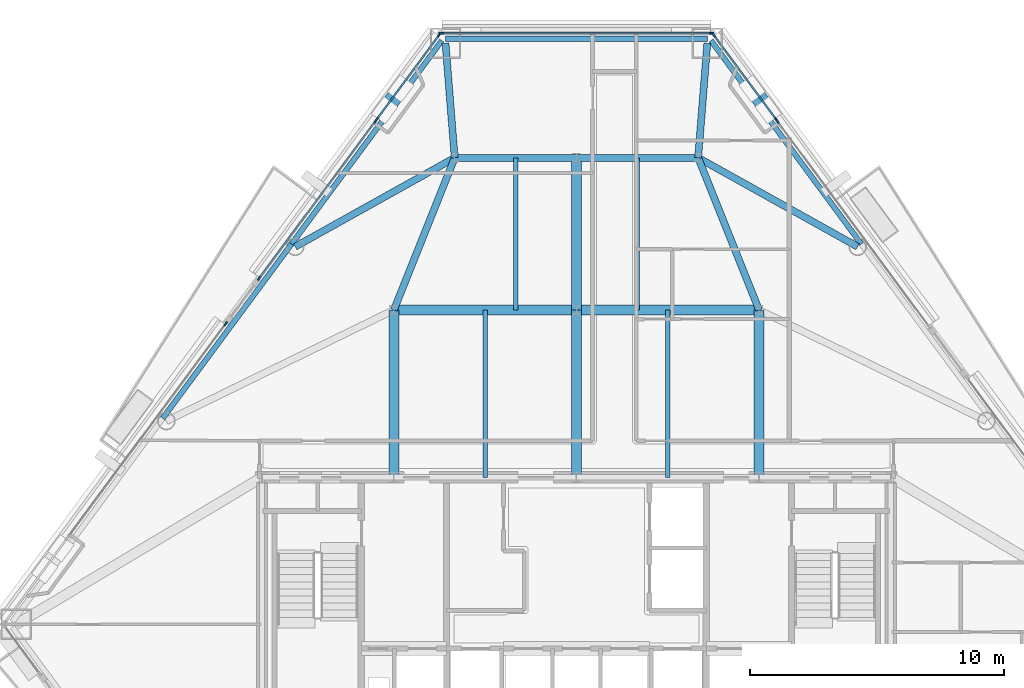
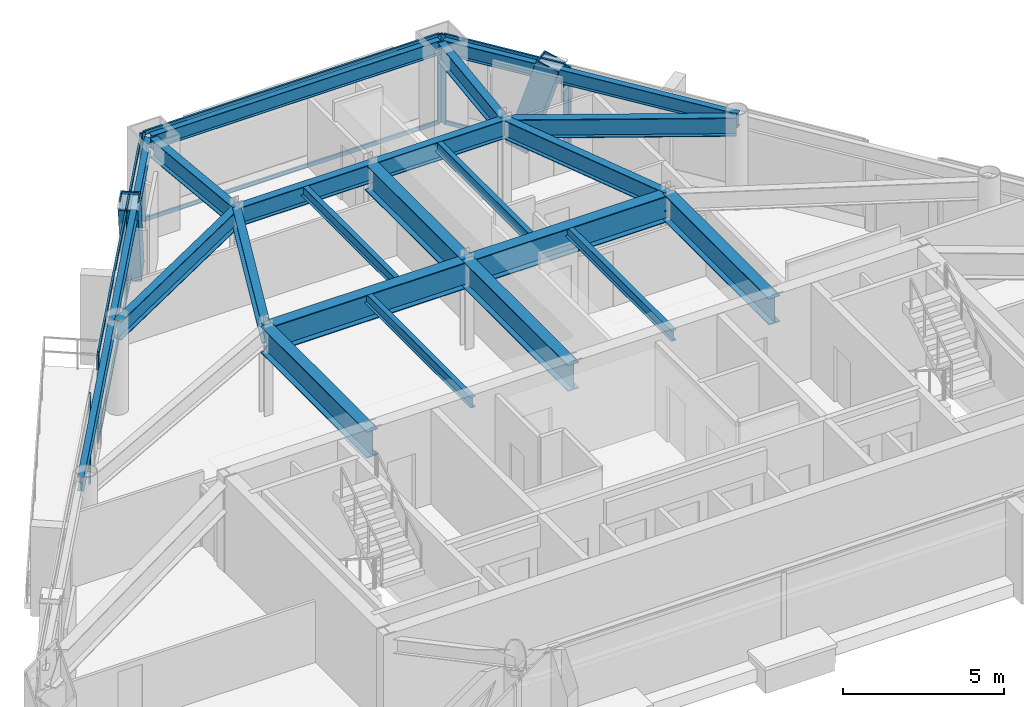
# One storey, part 4 of 11: 22 beams, 20 members, 6 elements without a shape of their own.
"""IFC4 building model written with IfcOpenShell, lengths in metres."""

from ifc_helpers import new_model, si_unit, direction, frame, origin, origin_2d, place, context, subcontext, project, spatial, rectangle, hollow_rectangle, i_section, extrude, material, layer, layer_set, material_profile, profile_set, type_object, element, aggregate, save


model = new_model("IFC4")

# Units and contexts
model_context = context("Model", 3, precision=1e-05, world=origin(), true_north=direction((0.0, 1.0)))
body_context = subcontext(model_context, "Body", "Model", "MODEL_VIEW")
ifc_project = project(units=[si_unit("LENGTHUNIT", "METRE"), si_unit("AREAUNIT", "SQUARE_METRE"), si_unit("VOLUMEUNIT", "CUBIC_METRE"), si_unit("PLANEANGLEUNIT", "RADIAN"), si_unit("MASSUNIT", "GRAM", prefix="KILO")], contexts=[model_context])

# Site, building, storey
site_placement = place(None, origin())
site = spatial("IfcSite", under=ifc_project, at=site_placement, CompositionType="ELEMENT")
building_placement = place(site_placement, origin())
building = spatial("IfcBuilding", under=site, at=building_placement, Name="Talgorran Terracotta Tower", CompositionType="ELEMENT")
storey_placement = place(building_placement, frame((0.0, 0.0, 136.5)))
storey = spatial("IfcBuildingStorey", under=building, at=storey_placement, Name="L35", CompositionType="ELEMENT", Elevation=136.5)

# Beams
ifc_material_1 = material(Name="Steel Grade 350 (350L0)", Category="steel")
ifc_material_profile_1 = material_profile(ifc_material_1, i_section(OverallWidth=0.39990234375, OverallDepth=1.0, WebThickness=0.01611328125, FlangeThickness=0.031005859375, at=origin_2d()), Name="1000WB296")
ifc_profile_set_1 = profile_set([ifc_material_profile_1], Name="Steel Grade 350 (350L0)")
beam_type_1 = type_object("IfcBeamType", Name="BM_1000WB296", PredefinedType="BEAM", material=ifc_profile_set_1)
for number, where, z_axis, x_axis, name in (
    (1, (-7.199951171875, -4.199951171875, 2.85009765625), (0.0, 1.0, 0.0), (-1.0, 0.0, 0.0), "L35 Floor Girder G01"),
    (2, (0.0, -4.199951171875, 2.85009765625), (0.0, 1.0, 0.0), (-1.0, 0.0, 0.0), "L35 Floor Girder G02"),
    (3, (7.199951171875, -4.199951171875, 2.85009765625), (0.0, 1.0, 0.0), (-1.0, 0.0, 0.0), "L35 Floor Girder G03"),
):
    element("IfcBeam", number, at=place(storey_placement, frame(where, z_axis=z_axis, x_axis=x_axis)), inside=storey, type_object=beam_type_1, Name=name, PredefinedType="BEAM", context=body_context, shape_type="SweptSolid", body=[
        extrude(i_section(OverallWidth=0.39990234375, OverallDepth=1.0, WebThickness=0.01611328125, FlangeThickness=0.031005859375, at=origin_2d()), origin(), (0.0, 0.0, 1.0), 6.599853515625),
    ])
for number, where, z_axis, x_axis, name in (
    (4, (-7.199951171875, 2.39990234375, 2.85009765625), (1.0, 0.0, 0.0), (0.0, 1.0, 0.0), "L35 Floor Girder G04"),
    (5, (0.0, 2.39990234375, 2.85009765625), (1.0, 0.0, 0.0), (0.0, 1.0, 0.0), "L35 Floor Girder G05"),
):
    element("IfcBeam", number, at=place(storey_placement, frame(where, z_axis=z_axis, x_axis=x_axis)), inside=storey, type_object=beam_type_1, Name=name, PredefinedType="BEAM", context=body_context, shape_type="SweptSolid", body=[
        extrude(i_section(OverallWidth=0.39990234375, OverallDepth=1.0, WebThickness=0.01611328125, FlangeThickness=0.031005859375, at=origin_2d()), origin(), (0.0, 0.0, 1.0), 7.199951171875),
    ])
beam_1_placement = place(storey_placement, frame((0.0, 2.39990234375, 2.85009765625), z_axis=(0.0, 1.0, 0.0), x_axis=(-1.0, 0.0, 0.0)))
element("IfcBeam", 6, at=beam_1_placement, inside=storey, type_object=beam_type_1, Name="L35 Floor Girder G09", PredefinedType="BEAM", context=body_context, shape_type="SweptSolid", body=[
    extrude(i_section(OverallWidth=0.39990234375, OverallDepth=1.0, WebThickness=0.01611328125, FlangeThickness=0.031005859375, at=origin_2d()), origin(), (0.0, 0.0, 1.0), 6.0),
])
ifc_material_2 = material(Name="Steel S355 (300PLUS)", Category="steel")
ifc_material_profile_2 = material_profile(ifc_material_2, i_section(OverallWidth=0.27490234375, OverallDepth=0.7080078125, WebThickness=0.011962890625, FlangeThickness=0.02490234375, at=origin_2d()), Name="700WB173")
ifc_profile_set_2 = profile_set([ifc_material_profile_2], Name="Steel S355 (300PLUS)")
beam_type_2 = type_object("IfcBeamType", Name="BM_700WB173", PredefinedType="BEAM", material=ifc_profile_set_2)
for number, where, z_axis, x_axis, name in (
    (7, (-7.199951171875, 2.39990234375, 2.99609375), (0.371377648723, 0.928481901832, 0.0), (-0.928481901832, 0.371377648723, 0.0), "L35 Floor Girder G08"),
    (8, (7.199951171875, 2.39990234375, 2.99609375), (-0.371377648723, 0.928481901832, 0.0), (-0.928481901832, -0.371377648723, 0.0), "L35 Floor Girder G10"),
):
    element("IfcBeam", number, at=place(storey_placement, frame(where, z_axis=z_axis, x_axis=x_axis)), inside=storey, type_object=beam_type_2, Name=name, PredefinedType="BEAM", context=body_context, shape_type="SweptSolid", body=[
        extrude(i_section(OverallWidth=0.27490234375, OverallDepth=0.7080078125, WebThickness=0.011962890625, FlangeThickness=0.02490234375, at=origin_2d()), origin(), (0.0, 0.0, 1.0), 6.462158203125),
    ])
for number, where, z_axis, x_axis, name in (
    (9, (-4.800048828125, 8.39990234375, 2.99609375), (1.0, 0.0, 0.0), (0.0, 1.0, 0.0), "L35 Floor Girder G11"),
    (10, (0.0, 8.39990234375, 2.99609375), (1.0, 0.0, 0.0), (0.0, 1.0, 0.0), "L35 Floor Girder G12"),
):
    element("IfcBeam", number, at=place(storey_placement, frame(where, z_axis=z_axis, x_axis=x_axis)), inside=storey, type_object=beam_type_2, Name=name, PredefinedType="BEAM", context=body_context, shape_type="SweptSolid", body=[
        extrude(i_section(OverallWidth=0.27490234375, OverallDepth=0.7080078125, WebThickness=0.011962890625, FlangeThickness=0.02490234375, at=origin_2d()), origin(), (0.0, 0.0, 1.0), 4.800048828125),
    ])
for number, where, z_axis, x_axis, name in (
    (11, (-4.800048828125, 8.39990234375, 2.99609375), (-0.873422120385, -0.48696385864, 0.0), (0.48696385864, -0.873422120385, 0.0), "L35 Floor Girder G13"),
    (12, (4.800048828125, 8.39990234375, 2.99609375), (0.873422120385, -0.48696385864, 0.0), (0.48696385864, 0.873422120385, 0.0), "L35 Floor Girder G14"),
):
    element("IfcBeam", number, at=place(storey_placement, frame(where, z_axis=z_axis, x_axis=x_axis)), inside=storey, type_object=beam_type_2, Name=name, PredefinedType="BEAM", context=body_context, shape_type="SweptSolid", body=[
        extrude(i_section(OverallWidth=0.27490234375, OverallDepth=0.7080078125, WebThickness=0.011962890625, FlangeThickness=0.02490234375, at=origin_2d()), origin(), (0.0, 0.0, 1.0), 7.199951171875),
    ])
for number, where, z_axis, x_axis, name in (
    (13, (-4.800048828125, 8.39990234375, 2.99609375), (-0.079850226008, 0.996806872672, 0.0), (-0.996806872672, -0.079850226008, 0.0), "L35 Floor Girder G15"),
    (14, (4.800048828125, 8.39990234375, 2.99609375), (0.079850226008, 0.996806872672, 0.0), (-0.996806872672, 0.079850226008, 0.0), "L35 Floor Girder G16"),
):
    element("IfcBeam", number, at=place(storey_placement, frame(where, z_axis=z_axis, x_axis=x_axis)), inside=storey, type_object=beam_type_2, Name=name, PredefinedType="BEAM", context=body_context, shape_type="SweptSolid", body=[
        extrude(i_section(OverallWidth=0.27490234375, OverallDepth=0.7080078125, WebThickness=0.011962890625, FlangeThickness=0.02490234375, at=origin_2d()), origin(), (0.0, 0.0, 1.0), 4.528076171875),
    ])
ifc_material_profile_3 = material_profile(ifc_material_2, i_section(OverallWidth=0.177734375, OverallDepth=0.406494140625, WebThickness=0.0078125, FlangeThickness=0.0126953125, at=origin_2d()), Name="410UB59.7")
ifc_profile_set_3 = profile_set([ifc_material_profile_3], Name="Steel S355 (300PLUS)")
beam_type_3 = type_object("IfcBeamType", Name="BM_JS_410UB60", PredefinedType="JOIST", material=ifc_profile_set_3)
for number, where, z_axis, x_axis, name in (
    (15, (-3.60009765625, -4.199951171875, 3.146728515625), (0.0, 1.0, 0.0), (-1.0, 0.0, 0.0), "L35 Secondary Joist J01"),
    (16, (3.60009765625, -4.199951171875, 3.146728515625), (0.0, 1.0, 0.0), (-1.0, 0.0, 0.0), "L35 Secondary Joist J02"),
):
    element("IfcBeam", number, at=place(storey_placement, frame(where, z_axis=z_axis, x_axis=x_axis)), inside=storey, type_object=beam_type_3, Name=name, PredefinedType="JOIST", context=body_context, shape_type="SweptSolid", body=[
        extrude(i_section(OverallWidth=0.177734375, OverallDepth=0.406494140625, WebThickness=0.0078125, FlangeThickness=0.0126953125, at=origin_2d()), origin(), (0.0, 0.0, 1.0), 6.599853515625),
    ])
for number, where, z_axis, x_axis, name in (
    (17, (-2.39990234375, 2.39990234375, 3.146728515625), (0.0, 1.0, 0.0), (-1.0, 0.0, 0.0), "L35 Secondary Joist J03"),
    (18, (2.39990234375, 2.39990234375, 3.146728515625), (0.0, 1.0, 0.0), (-1.0, 0.0, 0.0), "L35 Secondary Joist J04"),
):
    element("IfcBeam", number, at=place(storey_placement, frame(where, z_axis=z_axis, x_axis=x_axis)), inside=storey, type_object=beam_type_3, Name=name, PredefinedType="JOIST", context=body_context, shape_type="SweptSolid", body=[
        extrude(i_section(OverallWidth=0.177734375, OverallDepth=0.406494140625, WebThickness=0.0078125, FlangeThickness=0.0126953125, at=origin_2d()), origin(), (0.0, 0.0, 1.0), 6.0),
    ])
ifc_material_profile_4 = material_profile(ifc_material_2, i_section(OverallWidth=0.209228515625, OverallDepth=0.532958984375, WebThickness=0.01025390625, FlangeThickness=0.015625, at=origin_2d()), Name="530UB92.4")
ifc_profile_set_4 = profile_set([ifc_material_profile_4], Name="Steel S355 (300PLUS)")
beam_type_4 = type_object("IfcBeamType", Name="BM_SP_530UB92", PredefinedType="SPANDREL", material=ifc_profile_set_4)
beam_2_placement = place(storey_placement, frame((11.2333984375, 5.000732421875, 3.08349609375), z_axis=(-0.594348381438, 0.80420768554, 0.0), x_axis=(-0.80420768554, -0.594348381438, 0.0)))
element("IfcBeam", 19, at=beam_2_placement, inside=storey, type_object=beam_type_4, Name="L35 Perimeter Spandrel Beam FC4-MC5", PredefinedType="SPANDREL", context=body_context, shape_type="SweptSolid", body=[
    extrude(i_section(OverallWidth=0.209228515625, OverallDepth=0.532958984375, WebThickness=0.01025390625, FlangeThickness=0.015625, at=origin_2d()), origin(), (0.0, 0.0, 1.0), 9.97216796875),
])
beam_3_placement = place(storey_placement, frame((5.16162109375, 13.093505859375, 3.08349609375), z_axis=(-1.0, 0.0, 0.0), x_axis=(0.0, -1.0, 0.0)))
element("IfcBeam", 20, at=beam_3_placement, inside=storey, type_object=beam_type_4, Name="L35 Perimeter Spandrel Beam MC5-MC6", PredefinedType="SPANDREL", context=body_context, shape_type="SweptSolid", body=[
    extrude(i_section(OverallWidth=0.209228515625, OverallDepth=0.532958984375, WebThickness=0.01025390625, FlangeThickness=0.015625, at=origin_2d()), origin(), (0.0, 0.0, 1.0), 10.3232421875),
])
beam_4_placement = place(storey_placement, frame((-5.306396484375, 13.0205078125, 3.08349609375), z_axis=(-0.594348381438, -0.80420768554, 0.0), x_axis=(0.80420768554, -0.594348381438, 0.0)))
element("IfcBeam", 21, at=beam_4_placement, inside=storey, type_object=beam_type_4, Name="L35 Perimeter Spandrel Beam MC6-FC5", PredefinedType="SPANDREL", context=body_context, shape_type="SweptSolid", body=[
    extrude(i_section(OverallWidth=0.209228515625, OverallDepth=0.532958984375, WebThickness=0.01025390625, FlangeThickness=0.015625, at=origin_2d()), origin(), (0.0, 0.0, 1.0), 9.97216796875),
])
beam_5_placement = place(storey_placement, frame((-11.2333984375, 5.000732421875, 3.08349609375), z_axis=(-0.594373393058, -0.804189200142, 0.0), x_axis=(0.804189200142, -0.594373393058, 0.0)))
element("IfcBeam", 22, at=beam_5_placement, inside=storey, type_object=beam_type_4, Name="L35 Perimeter Spandrel Beam FC5-FC6", PredefinedType="SPANDREL", context=body_context, shape_type="SweptSolid", body=[
    extrude(i_section(OverallWidth=0.209228515625, OverallDepth=0.532958984375, WebThickness=0.01025390625, FlangeThickness=0.015625, at=origin_2d()), origin(), (0.0, 0.0, 1.0), 8.5478515625),
])

# Members
ifc_material_profile_5 = material_profile(ifc_material_1, hollow_rectangle(XDim=0.6201171875, YDim=0.780029296875, WallThickness=0.0419921875, at=origin_2d()), Name="WBOX780X620X42")
ifc_profile_set_5 = profile_set([ifc_material_profile_5], Name="Steel Grade 350 (350L0)")
member_type_1 = type_object("IfcMemberType", Name="MB_MEGA_780", PredefinedType="BRACE", material=ifc_profile_set_5)
for number, where, z_axis, x_axis, name in (
    (23, (6.925537109375, 11.13232421875, -0.02490234375), (0.178557600451, -0.241569872187, 0.953814017601), (0.804166664466, 0.594403882694, 0.0), "L35 Exterior Face Mega-Brace MB-2 (NEU)"),
    (24, (-6.925537109375, 11.13232421875, -0.02490234375), (-0.178557600451, -0.241569872187, 0.953814017601), (0.804166664466, -0.594403882694, 0.0), "L35 Exterior Face Mega-Brace MB-2 (NWU)"),
):
    element("IfcMember", number, at=place(storey_placement, frame(where, z_axis=z_axis, x_axis=x_axis)), inside=storey, type_object=member_type_1, Name=name, PredefinedType="BRACE", context=body_context, shape_type="SweptSolid", body=[
        extrude(hollow_rectangle(XDim=0.6201171875, YDim=0.780029296875, WallThickness=0.0419921875, at=origin_2d()), origin(), (0.0, 0.0, 1.0), 3.564453125),
    ])

# Curtain wall, member
ifc_material_3 = material(Name="Unitised Low-E Double Glazing", Category="glass")
ifc_layer = layer(ifc_material_3, 0.199951171875, Name="CW_SYS2_RES_LOW")
ifc_layer_set = layer_set([ifc_layer], Name="Unitised Low-E Double Glazing")
curtain_wall_type = type_object("IfcCurtainWallType", Name="CW_SYS2_RES_LOW", PredefinedType="NOTDEFINED", material=ifc_layer_set)
curtain_wall_1_placement = place(storey_placement, origin())
curtain_wall_1 = element("IfcCurtainWall", 25, at=curtain_wall_1_placement, inside=storey, type_object=curtain_wall_type, Name="CW-L35-F41", PredefinedType="NOTDEFINED")
ifc_material_4 = material(Name="Architectural Aluminium 6063-T6", Category="aluminium")
ifc_material_profile_6 = material_profile(ifc_material_4, rectangle(XDim=0.06494140625, YDim=0.18505859375, at=origin_2d()), Name="CWM65X185")
ifc_profile_set_6 = profile_set([ifc_material_profile_6], Name="Architectural Aluminium 6063-T6")
member_type_2 = type_object("IfcMemberType", Name="MUL_65X185", PredefinedType="MULLION", material=ifc_profile_set_6)
member_1_placement = place(storey_placement, frame((7.9267578125, 9.844970703125, 0.0), z_axis=(0.0, 0.0, 1.0), x_axis=(-0.804202196164, -0.594355808995, 0.0)))
member_1 = element("IfcMember", 26, at=member_1_placement, type_object=member_type_2, Name="CW-L35-41 mullion 2", PredefinedType="MULLION", context=body_context, shape_type="SweptSolid", body=[
    extrude(rectangle(XDim=0.06494140625, YDim=0.18505859375, at=origin_2d()), origin(), (0.0, 0.0, 1.0), 3.35009765625),
])
aggregate(curtain_wall_1, [member_1])

# Curtain wall, members
curtain_wall_2_placement = place(storey_placement, origin())
curtain_wall_2 = element("IfcCurtainWall", 27, at=curtain_wall_2_placement, inside=storey, type_object=curtain_wall_type, Name="CW-L35-F41B", PredefinedType="NOTDEFINED")
member_2_placement = place(storey_placement, frame((7.882080078125, 9.9052734375, 0.0), z_axis=(0.0, 0.0, 1.0), x_axis=(-0.804209546367, -0.594345863562, 0.0)))
member_2 = element("IfcMember", 28, at=member_2_placement, type_object=member_type_2, Name="CW-L35-41B mullion 1", PredefinedType="MULLION", context=body_context, shape_type="SweptSolid", body=[
    extrude(rectangle(XDim=0.06494140625, YDim=0.18505859375, at=origin_2d()), origin(), (0.0, 0.0, 1.0), 3.35009765625),
])
member_3_placement = place(storey_placement, frame((5.406494140625, 13.255126953125, 0.0), z_axis=(0.0, 0.0, 1.0), x_axis=(-0.804209546367, -0.594345863562, 0.0)))
member_3 = element("IfcMember", 29, at=member_3_placement, type_object=member_type_2, Name="CW-L35-41B mullion 2", PredefinedType="MULLION", context=body_context, shape_type="SweptSolid", body=[
    extrude(rectangle(XDim=0.06494140625, YDim=0.18505859375, at=origin_2d()), origin(), (0.0, 0.0, 1.0), 3.35009765625),
])

curtain_wall_3_placement = place(storey_placement, origin())
curtain_wall_3 = element("IfcCurtainWall", 30, at=curtain_wall_3_placement, inside=storey, type_object=curtain_wall_type, Name="CW-L35-F4", PredefinedType="NOTDEFINED")
member_4_placement = place(storey_placement, frame((5.330810546875, 13.3134765625, 0.0), z_axis=(0.0, 0.0, 1.0), x_axis=(0.0, -1.0, 0.0)))
member_4 = element("IfcMember", 31, at=member_4_placement, type_object=member_type_2, Name="CW-L35-4 mullion 1", PredefinedType="MULLION", context=body_context, shape_type="SweptSolid", body=[
    extrude(rectangle(XDim=0.06494140625, YDim=0.18505859375, at=origin_2d()), origin(), (0.0, 0.0, 1.0), 3.35009765625),
])
member_5_placement = place(storey_placement, frame((-5.330810546875, 13.3134765625, 0.0), z_axis=(0.0, 0.0, 1.0), x_axis=(0.0, -1.0, 0.0)))
member_5 = element("IfcMember", 32, at=member_5_placement, type_object=member_type_2, Name="CW-L35-4 mullion 2", PredefinedType="MULLION", context=body_context, shape_type="SweptSolid", body=[
    extrude(rectangle(XDim=0.06494140625, YDim=0.18505859375, at=origin_2d()), origin(), (0.0, 0.0, 1.0), 3.35009765625),
])

curtain_wall_4_placement = place(storey_placement, origin())
curtain_wall_4 = element("IfcCurtainWall", 33, at=curtain_wall_4_placement, inside=storey, type_object=curtain_wall_type, Name="CW-L35-F60", PredefinedType="NOTDEFINED")
member_6_placement = place(storey_placement, frame((-5.406494140625, 13.255126953125, 0.0), z_axis=(0.0, 0.0, 1.0), x_axis=(0.804198247621, -0.594361151593, 0.0)))
member_6 = element("IfcMember", 34, at=member_6_placement, type_object=member_type_2, Name="CW-L35-60 mullion 1", PredefinedType="MULLION", context=body_context, shape_type="SweptSolid", body=[
    extrude(rectangle(XDim=0.06494140625, YDim=0.18505859375, at=origin_2d()), origin(), (0.0, 0.0, 1.0), 3.35009765625),
])
member_7_placement = place(storey_placement, frame((-7.882080078125, 9.9052734375, 0.0), z_axis=(0.0, 0.0, 1.0), x_axis=(0.804198247621, -0.594361151593, 0.0)))
member_7 = element("IfcMember", 35, at=member_7_placement, type_object=member_type_2, Name="CW-L35-60 mullion 2", PredefinedType="MULLION", context=body_context, shape_type="SweptSolid", body=[
    extrude(rectangle(XDim=0.06494140625, YDim=0.18505859375, at=origin_2d()), origin(), (0.0, 0.0, 1.0), 3.35009765625),
])

curtain_wall_5_placement = place(storey_placement, origin())
curtain_wall_5 = element("IfcCurtainWall", 36, at=curtain_wall_5_placement, inside=storey, type_object=curtain_wall_type, Name="CW-L35-F60B", PredefinedType="NOTDEFINED")
member_8_placement = place(storey_placement, frame((-7.9267578125, 9.844970703125, 0.0), z_axis=(0.0, 0.0, 1.0), x_axis=(0.804195931251, -0.594364285737, 0.0)))
member_8 = element("IfcMember", 37, at=member_8_placement, type_object=member_type_2, Name="CW-L35-60B mullion 1", PredefinedType="MULLION", context=body_context, shape_type="SweptSolid", body=[
    extrude(rectangle(XDim=0.06494140625, YDim=0.18505859375, at=origin_2d()), origin(), (0.0, 0.0, 1.0), 3.35009765625),
])
member_9_placement = place(storey_placement, frame((-12.5068359375, 3.64794921875, 0.0), z_axis=(0.0, 0.0, 1.0), x_axis=(0.804195931251, -0.594364285737, 0.0)))
member_9 = element("IfcMember", 38, at=member_9_placement, type_object=member_type_2, Name="CW-L35-60B mullion 2", PredefinedType="MULLION", context=body_context, shape_type="SweptSolid", body=[
    extrude(rectangle(XDim=0.06494140625, YDim=0.18505859375, at=origin_2d()), origin(), (0.0, 0.0, 1.0), 3.35009765625),
])

# Curtain wall, member
curtain_wall_6_placement = place(storey_placement, origin())
curtain_wall_6 = element("IfcCurtainWall", 39, at=curtain_wall_6_placement, inside=storey, type_object=curtain_wall_type, Name="CW-L35-F61", PredefinedType="NOTDEFINED")
member_10_placement = place(storey_placement, frame((-13.829345703125, 1.8583984375, 0.0), z_axis=(0.0, 0.0, 1.0), x_axis=(0.804198531068, -0.594360768076, 0.0)))
member_10 = element("IfcMember", 40, at=member_10_placement, type_object=member_type_2, Name="CW-L35-61 mullion 1", PredefinedType="MULLION", context=body_context, shape_type="SweptSolid", body=[
    extrude(rectangle(XDim=0.06494140625, YDim=0.18505859375, at=origin_2d()), origin(), (0.0, 0.0, 1.0), 3.35009765625),
])
aggregate(curtain_wall_6, [member_10])

# Member
ifc_material_profile_7 = material_profile(ifc_material_4, rectangle(XDim=0.06494140625, YDim=0.14990234375, at=origin_2d()), Name="CWT65X150")
ifc_profile_set_7 = profile_set([ifc_material_profile_7], Name="Architectural Aluminium 6063-T6")
member_type_3 = type_object("IfcMemberType", Name="TRN_65X150", PredefinedType="USERDEFINED", material=ifc_profile_set_7)
member_11_placement = place(storey_placement, frame((7.86279296875, 9.931396484375, 0.032470703125), z_axis=(-0.594335813431, 0.804216973754, 0.0), x_axis=(-0.804216973754, -0.594335813431, 0.0)))
member_11 = element("IfcMember", 41, at=member_11_placement, type_object=member_type_3, Name="CW-L35-41B transom 1.1", ObjectType="TRANSOM", PredefinedType="USERDEFINED", context=body_context, shape_type="SweptSolid", body=[
    extrude(rectangle(XDim=0.06494140625, YDim=0.14990234375, at=origin_2d()), origin(), (0.0, 0.0, 1.0), 4.100341796875),
])

member_12_placement = place(storey_placement, frame((7.86279296875, 9.931396484375, 3.3173828125), z_axis=(-0.594335813431, 0.804216973754, 0.0), x_axis=(-0.804216973754, -0.594335813431, 0.0)))
member_12 = element("IfcMember", 42, at=member_12_placement, type_object=member_type_3, Name="CW-L35-41B transom 1.2", ObjectType="TRANSOM", PredefinedType="USERDEFINED", context=body_context, shape_type="SweptSolid", body=[
    extrude(rectangle(XDim=0.06494140625, YDim=0.14990234375, at=origin_2d()), origin(), (0.0, 0.0, 1.0), 4.100341796875),
])

aggregate(curtain_wall_2, [member_2, member_3, member_11, member_12])

member_13_placement = place(storey_placement, frame((5.29833984375, 13.3134765625, 0.032470703125), z_axis=(-1.0, 0.0, 0.0), x_axis=(0.0, -1.0, 0.0)))
member_13 = element("IfcMember", 43, at=member_13_placement, type_object=member_type_3, Name="CW-L35-4 transom 1.1", ObjectType="TRANSOM", PredefinedType="USERDEFINED", context=body_context, shape_type="SweptSolid", body=[
    extrude(rectangle(XDim=0.06494140625, YDim=0.14990234375, at=origin_2d()), origin(), (0.0, 0.0, 1.0), 10.5966796875),
])

member_14_placement = place(storey_placement, frame((5.29833984375, 13.3134765625, 3.3173828125), z_axis=(-1.0, 0.0, 0.0), x_axis=(0.0, -1.0, 0.0)))
member_14 = element("IfcMember", 44, at=member_14_placement, type_object=member_type_3, Name="CW-L35-4 transom 1.2", ObjectType="TRANSOM", PredefinedType="USERDEFINED", context=body_context, shape_type="SweptSolid", body=[
    extrude(rectangle(XDim=0.06494140625, YDim=0.14990234375, at=origin_2d()), origin(), (0.0, 0.0, 1.0), 10.5966796875),
])

aggregate(curtain_wall_3, [member_4, member_5, member_13, member_14])

member_15_placement = place(storey_placement, frame((-5.42578125, 13.22900390625, 0.032470703125), z_axis=(-0.594335813431, -0.804216973754, 0.0), x_axis=(0.804216973754, -0.594335813431, 0.0)))
member_15 = element("IfcMember", 45, at=member_15_placement, type_object=member_type_3, Name="CW-L35-60 transom 1.1", ObjectType="TRANSOM", PredefinedType="USERDEFINED", context=body_context, shape_type="SweptSolid", body=[
    extrude(rectangle(XDim=0.06494140625, YDim=0.14990234375, at=origin_2d()), origin(), (0.0, 0.0, 1.0), 4.100341796875),
])

member_16_placement = place(storey_placement, frame((-5.42578125, 13.22900390625, 3.3173828125), z_axis=(-0.594335813431, -0.804216973754, 0.0), x_axis=(0.804216973754, -0.594335813431, 0.0)))
member_16 = element("IfcMember", 46, at=member_16_placement, type_object=member_type_3, Name="CW-L35-60 transom 1.2", ObjectType="TRANSOM", PredefinedType="USERDEFINED", context=body_context, shape_type="SweptSolid", body=[
    extrude(rectangle(XDim=0.06494140625, YDim=0.14990234375, at=origin_2d()), origin(), (0.0, 0.0, 1.0), 4.100341796875),
])

aggregate(curtain_wall_4, [member_6, member_7, member_15, member_16])

member_17_placement = place(storey_placement, frame((-7.946044921875, 9.81884765625, 0.032470703125), z_axis=(-0.59436680403, -0.804194070027, 0.0), x_axis=(0.804194070027, -0.59436680403, 0.0)))
member_17 = element("IfcMember", 47, at=member_17_placement, type_object=member_type_3, Name="CW-L35-60B transom 1.1", ObjectType="TRANSOM", PredefinedType="USERDEFINED", context=body_context, shape_type="SweptSolid", body=[
    extrude(rectangle(XDim=0.06494140625, YDim=0.14990234375, at=origin_2d()), origin(), (0.0, 0.0, 1.0), 7.640869140625),
])

member_18_placement = place(storey_placement, frame((-7.946044921875, 9.81884765625, 3.3173828125), z_axis=(-0.59436680403, -0.804194070027, 0.0), x_axis=(0.804194070027, -0.59436680403, 0.0)))
member_18 = element("IfcMember", 48, at=member_18_placement, type_object=member_type_3, Name="CW-L35-60B transom 1.2", ObjectType="TRANSOM", PredefinedType="USERDEFINED", context=body_context, shape_type="SweptSolid", body=[
    extrude(rectangle(XDim=0.06494140625, YDim=0.14990234375, at=origin_2d()), origin(), (0.0, 0.0, 1.0), 7.640869140625),
])

aggregate(curtain_wall_5, [member_8, member_9, member_17, member_18])

save(model, "model.ifc")
